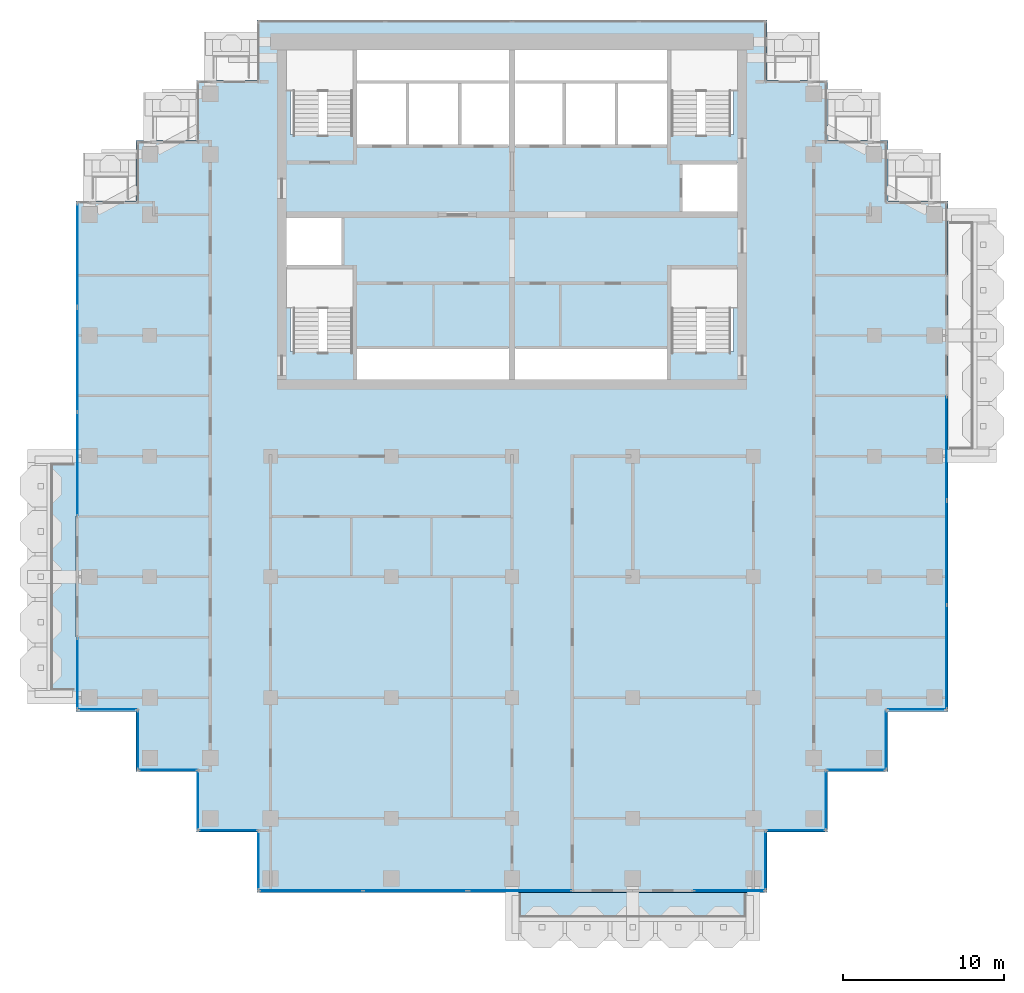
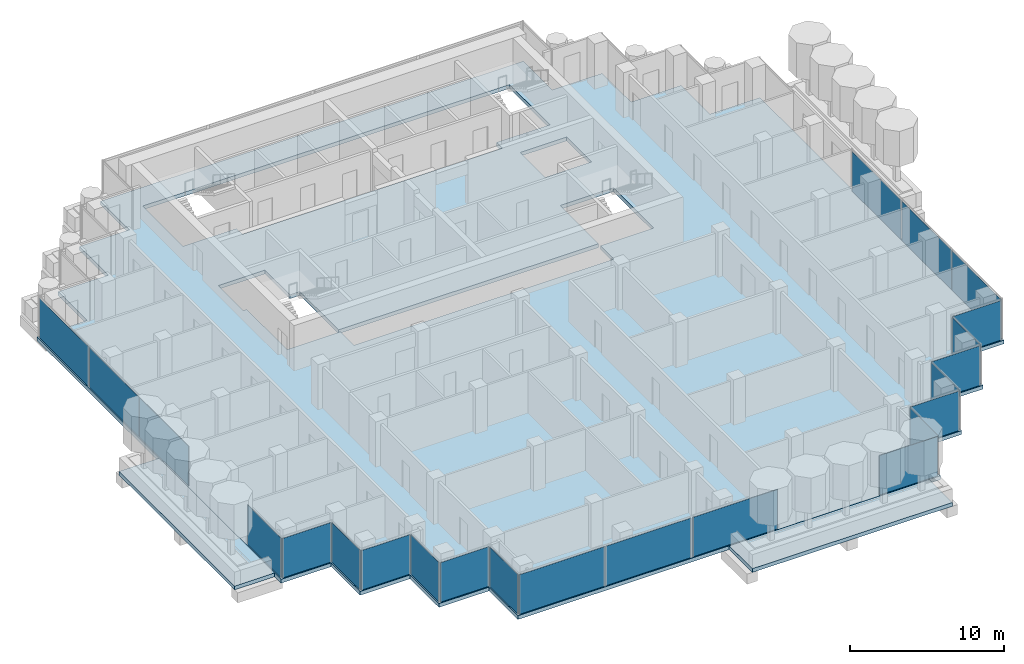
# One storey, part 8 of 19: 23 plates, 3 slabs, 20 elements without a shape of their own.
"""IFC4 building model written with IfcOpenShell, lengths in metres."""

from ifc_helpers import new_model, si_unit, direction, frame, origin, origin_2d, place, context, subcontext, project, spatial, polyline, rectangle, outline, extrude, material, layer, layer_set, type_object, element, aggregate, save


model = new_model("IFC4")

# Units and contexts
model_context = context("Model", 3, precision=1e-05, world=origin(), true_north=direction((0.0, 1.0)))
body_context = subcontext(model_context, "Body", "Model", "MODEL_VIEW")
ifc_project = project(units=[si_unit("LENGTHUNIT", "METRE"), si_unit("AREAUNIT", "SQUARE_METRE"), si_unit("VOLUMEUNIT", "CUBIC_METRE"), si_unit("PLANEANGLEUNIT", "RADIAN"), si_unit("MASSUNIT", "GRAM", prefix="KILO")], contexts=[model_context])

# Site, building, storey
site_placement = place(None, origin())
site = spatial("IfcSite", under=ifc_project, at=site_placement, CompositionType="ELEMENT")
building_placement = place(site_placement, origin())
building = spatial("IfcBuilding", under=site, at=building_placement, Name="Pilkhan Gate Tower", CompositionType="ELEMENT")
storey_placement = place(building_placement, frame((0.0, 0.0, 224.699951171875)))
storey = spatial("IfcBuildingStorey", under=building, at=storey_placement, Name="L58", CompositionType="ELEMENT", Elevation=224.699951171875)

# Slabs
ifc_material_1 = material(Name="Concrete C60/75", Category="concrete")
ifc_layer_1 = layer(ifc_material_1, 0.300048828125)
ifc_layer_set_1 = layer_set([ifc_layer_1], Name="Balcony tray slab TR300")
slab_type_1 = type_object("IfcSlabType", Name="Balcony tray slab TR300", PredefinedType="FLOOR", material=ifc_layer_set_1)
slab_1_placement = place(storey_placement, frame((0.0, 0.0, -0.300048828125)))
element("IfcSlab", 1, at=slab_1_placement, inside=storey, type_object=slab_type_1, Name="Balcony tray L58 S", PredefinedType="FLOOR", context=body_context, shape_type="SweptSolid", body=[
    extrude(outline(polyline([(90.0, 37.39990234375), (90.0, 40.39990234375), (75.0, 40.39990234375), (75.0, 37.39990234375), (90.0, 37.39990234375)])), origin(), (0.0, 0.0, 1.0), 0.300048828125),
])
slab_2_placement = place(storey_placement, frame((0.0, 0.0, -0.300048828125)))
element("IfcSlab", 2, at=slab_2_placement, inside=storey, type_object=slab_type_1, Name="Balcony tray L58 W", PredefinedType="FLOOR", context=body_context, shape_type="SweptSolid", body=[
    extrude(outline(polyline([(47.89990234375, 52.5), (47.89990234375, 67.5), (44.89990234375, 67.5), (44.89990234375, 52.5), (47.89990234375, 52.5)])), origin(), (0.0, 0.0, 1.0), 0.300048828125),
])
ifc_material_2 = material(Name="Concrete C40/50", Category="concrete")
ifc_layer_2 = layer(ifc_material_2, 0.300048828125)
ifc_layer_set_2 = layer_set([ifc_layer_2], Name="Flat plate slab FP300")
slab_type_2 = type_object("IfcSlabType", Name="Flat plate slab FP300", PredefinedType="FLOOR", material=ifc_layer_set_2)
slab_3_placement = place(storey_placement, frame((0.0, 0.0, -0.300048828125)))
element("IfcSlab", 3, at=slab_3_placement, inside=storey, type_object=slab_type_2, Name="Floor slab L58", PredefinedType="FLOOR", context=body_context, shape_type="SweptSolid", body=[
    extrude(outline(polyline([(98.35009765625, 47.89990234375), (94.60009765625, 47.89990234375), (94.60009765625, 44.14990234375), (90.85009765625, 44.14990234375), (90.85009765625, 40.39990234375), (59.14990234375, 40.39990234375), (59.14990234375, 44.14990234375), (55.39990234375, 44.14990234375), (55.39990234375, 47.89990234375), (51.64990234375, 47.89990234375), (51.64990234375, 51.64990234375), (47.89990234375, 51.64990234375), (47.89990234375, 83.35009765625), (51.64990234375, 83.35009765625), (51.64990234375, 87.10009765625), (55.39990234375, 87.10009765625), (55.39990234375, 90.85009765625), (59.14990234375, 90.85009765625), (59.14990234375, 94.60009765625), (90.85009765625, 94.60009765625), (90.85009765625, 90.85009765625), (94.60009765625, 90.85009765625), (94.60009765625, 87.10009765625), (98.35009765625, 87.10009765625), (98.35009765625, 83.35009765625), (102.10009765625, 83.35009765625), (102.10009765625, 51.64990234375), (98.35009765625, 51.64990234375), (98.35009765625, 47.89990234375)]), holes=[polyline([(75.0, 72.25), (84.75, 72.25), (84.75, 74.0), (88.75, 74.0), (88.75, 79.25), (84.75, 79.25), (84.75, 74.25), (75.0, 74.25), (65.25, 74.25), (65.25, 79.25), (64.5, 79.25), (64.5, 82.5), (61.25, 82.5), (61.0, 82.5), (61.0, 79.25), (61.25, 79.25), (61.25, 74.0), (65.25, 74.0), (65.25, 72.25), (75.0, 72.25)]), polyline([(68.5, 86.75), (71.75, 86.75), (75.0, 86.75), (78.25, 86.75), (81.5, 86.75), (84.75, 86.75), (84.75, 87.5), (88.75, 87.5), (88.75, 92.75), (84.75, 92.75), (75.0, 92.75), (65.25, 92.75), (61.25, 92.75), (61.25, 87.5), (65.25, 87.5), (65.25, 86.75), (68.5, 86.75)]), polyline([(85.5, 85.75), (85.5, 82.5), (88.75, 82.5), (89.0, 82.5), (89.0, 85.75), (88.75, 85.75), (85.5, 85.75)])]), origin(), (0.0, 0.0, 1.0), 0.300048828125),
])

# Curtain wall, plates
ifc_material_3 = material(Name="Pale anodised aluminium, clear low-iron double glazing", Category="aluminium")
curtain_wall_type = type_object("IfcCurtainWallType", Name="Office unitised curtain wall CW-O2", PredefinedType="USERDEFINED", material=ifc_material_3)
curtain_wall_1_placement = place(storey_placement, origin())
curtain_wall_1 = element("IfcCurtainWall", 4, at=curtain_wall_1_placement, inside=storey, type_object=curtain_wall_type, Name="Office unitised curtain wall CW-O2 L58 E", ObjectType="UNITISED CURTAIN WALL", PredefinedType="USERDEFINED")
ifc_material_4 = material(Name="Clear low-iron double glazing", Category="glass")
ifc_layer_3 = layer(ifc_material_4, 0.031982421875)
ifc_layer_set_3 = layer_set([ifc_layer_3], Name="Glass panel CW-O2 32")
plate_type = type_object("IfcPlateType", Name="Glass panel CW-O2 32", PredefinedType="CURTAIN_PANEL", material=ifc_layer_set_3)
plate_1_placement = place(storey_placement, frame((102.0, 55.016357421875, 0.0), z_axis=(0.0, 0.0, 1.0), x_axis=(0.0, 1.0, 0.0)))
plate_1 = element("IfcPlate", 5, at=plate_1_placement, type_object=plate_type, Name="CW-O2 panel 1", PredefinedType="CURTAIN_PANEL", context=body_context, shape_type="SweptSolid", body=[
    extrude(rectangle(XDim=6.402587890625, YDim=0.031982421875, at=origin_2d()), origin(), (0.0, 0.0, 1.0), 3.135009765625),
])
plate_2_placement = place(storey_placement, frame((102.0, 61.483642578125, 0.0), z_axis=(0.0, 0.0, 1.0), x_axis=(0.0, 1.0, 0.0)))
plate_2 = element("IfcPlate", 6, at=plate_2_placement, type_object=plate_type, Name="CW-O2 panel 2", PredefinedType="CURTAIN_PANEL", context=body_context, shape_type="SweptSolid", body=[
    extrude(rectangle(XDim=6.402587890625, YDim=0.031982421875, at=origin_2d()), origin(), (0.0, 0.0, 1.0), 3.135009765625),
])
aggregate(curtain_wall_1, [plate_1, plate_2])

# Curtain wall, plate
curtain_wall_2_placement = place(storey_placement, origin())
curtain_wall_2 = element("IfcCurtainWall", 7, at=curtain_wall_2_placement, inside=storey, type_object=curtain_wall_type, Name="Office unitised curtain wall CW-O2 L58 E", ObjectType="UNITISED CURTAIN WALL", PredefinedType="USERDEFINED")
plate_3_placement = place(storey_placement, frame((102.0, 68.0, 0.0), z_axis=(0.0, 0.0, 1.0), x_axis=(0.0, 1.0, 0.0)))
plate_3 = element("IfcPlate", 8, at=plate_3_placement, type_object=plate_type, Name="CW-O2 panel 1", PredefinedType="CURTAIN_PANEL", context=body_context, shape_type="SweptSolid", body=[
    extrude(rectangle(XDim=6.3701171875, YDim=0.031982421875, at=origin_2d()), origin(), (0.0, 0.0, 1.0), 3.135009765625),
])
aggregate(curtain_wall_2, [plate_3])

curtain_wall_3_placement = place(storey_placement, origin())
curtain_wall_3 = element("IfcCurtainWall", 9, at=curtain_wall_3_placement, inside=storey, type_object=curtain_wall_type, Name="Office unitised curtain wall CW-O2 L58 W", ObjectType="UNITISED CURTAIN WALL", PredefinedType="USERDEFINED")
plate_4_placement = place(storey_placement, frame((48.0, 54.0, 0.0), z_axis=(0.0, 0.0, 1.0), x_axis=(0.0, 1.0, 0.0)))
plate_4 = element("IfcPlate", 10, at=plate_4_placement, type_object=plate_type, Name="CW-O2 panel 1", PredefinedType="CURTAIN_PANEL", context=body_context, shape_type="SweptSolid", body=[
    extrude(rectangle(XDim=4.3701171875, YDim=0.031982421875, at=origin_2d()), origin(), (0.0, 0.0, 1.0), 3.135009765625),
])
aggregate(curtain_wall_3, [plate_4])

# Curtain wall, plates
curtain_wall_4_placement = place(storey_placement, origin())
curtain_wall_4 = element("IfcCurtainWall", 11, at=curtain_wall_4_placement, inside=storey, type_object=curtain_wall_type, Name="Office unitised curtain wall CW-O2 L58 W", ObjectType="UNITISED CURTAIN WALL", PredefinedType="USERDEFINED")
plate_5_placement = place(storey_placement, frame((48.0, 67.016357421875, 0.0), z_axis=(0.0, 0.0, 1.0), x_axis=(0.0, 1.0, 0.0)))
plate_5 = element("IfcPlate", 12, at=plate_5_placement, type_object=plate_type, Name="CW-O2 panel 1", PredefinedType="CURTAIN_PANEL", context=body_context, shape_type="SweptSolid", body=[
    extrude(rectangle(XDim=6.402587890625, YDim=0.031982421875, at=origin_2d()), origin(), (0.0, 0.0, 1.0), 3.135009765625),
])
plate_6_placement = place(storey_placement, frame((48.0, 73.483642578125, 0.0), z_axis=(0.0, 0.0, 1.0), x_axis=(0.0, 1.0, 0.0)))
plate_6 = element("IfcPlate", 13, at=plate_6_placement, type_object=plate_type, Name="CW-O2 panel 2", PredefinedType="CURTAIN_PANEL", context=body_context, shape_type="SweptSolid", body=[
    extrude(rectangle(XDim=6.402587890625, YDim=0.031982421875, at=origin_2d()), origin(), (0.0, 0.0, 1.0), 3.135009765625),
])
aggregate(curtain_wall_4, [plate_5, plate_6])

# Curtain wall, plate
curtain_wall_5_placement = place(storey_placement, origin())
curtain_wall_5 = element("IfcCurtainWall", 14, at=curtain_wall_5_placement, inside=storey, type_object=curtain_wall_type, Name="Office unitised curtain wall CW-O2 L58 W", ObjectType="UNITISED CURTAIN WALL", PredefinedType="USERDEFINED")
plate_7_placement = place(storey_placement, frame((48.0, 80.0, 0.0), z_axis=(0.0, 0.0, 1.0), x_axis=(0.0, 1.0, 0.0)))
plate_7 = element("IfcPlate", 15, at=plate_7_placement, type_object=plate_type, Name="CW-O2 panel 1", PredefinedType="CURTAIN_PANEL", context=body_context, shape_type="SweptSolid", body=[
    extrude(rectangle(XDim=6.3701171875, YDim=0.031982421875, at=origin_2d()), origin(), (0.0, 0.0, 1.0), 3.135009765625),
])
aggregate(curtain_wall_5, [plate_7])

curtain_wall_6_placement = place(storey_placement, origin())
curtain_wall_6 = element("IfcCurtainWall", 16, at=curtain_wall_6_placement, inside=storey, type_object=curtain_wall_type, Name="Office unitised curtain wall CW-O2 L58 S", ObjectType="UNITISED CURTAIN WALL", PredefinedType="USERDEFINED")
plate_8_placement = place(storey_placement, frame((49.875, 51.75, 0.0), z_axis=(0.0, 0.0, 1.0), x_axis=(1.0, 0.0, 0.0)))
plate_8 = element("IfcPlate", 17, at=plate_8_placement, type_object=plate_type, Name="CW-O2 panel 1", PredefinedType="CURTAIN_PANEL", context=body_context, shape_type="SweptSolid", body=[
    extrude(rectangle(XDim=3.6201171875, YDim=0.031982421875, at=origin_2d()), origin(), (0.0, 0.0, 1.0), 3.135009765625),
])
aggregate(curtain_wall_6, [plate_8])

curtain_wall_7_placement = place(storey_placement, origin())
curtain_wall_7 = element("IfcCurtainWall", 18, at=curtain_wall_7_placement, inside=storey, type_object=curtain_wall_type, Name="Office unitised curtain wall CW-O2 L58 W", ObjectType="UNITISED CURTAIN WALL", PredefinedType="USERDEFINED")
plate_9_placement = place(storey_placement, frame((51.75, 49.875, 0.0), z_axis=(0.0, 0.0, 1.0), x_axis=(0.0, 1.0, 0.0)))
plate_9 = element("IfcPlate", 19, at=plate_9_placement, type_object=plate_type, Name="CW-O2 panel 1", PredefinedType="CURTAIN_PANEL", context=body_context, shape_type="SweptSolid", body=[
    extrude(rectangle(XDim=3.6201171875, YDim=0.031982421875, at=origin_2d()), origin(), (0.0, 0.0, 1.0), 3.135009765625),
])
aggregate(curtain_wall_7, [plate_9])

curtain_wall_8_placement = place(storey_placement, origin())
curtain_wall_8 = element("IfcCurtainWall", 20, at=curtain_wall_8_placement, inside=storey, type_object=curtain_wall_type, Name="Office unitised curtain wall CW-O2 L58 S", ObjectType="UNITISED CURTAIN WALL", PredefinedType="USERDEFINED")
plate_10_placement = place(storey_placement, frame((53.625, 48.0, 0.0), z_axis=(0.0, 0.0, 1.0), x_axis=(1.0, 0.0, 0.0)))
plate_10 = element("IfcPlate", 21, at=plate_10_placement, type_object=plate_type, Name="CW-O2 panel 1", PredefinedType="CURTAIN_PANEL", context=body_context, shape_type="SweptSolid", body=[
    extrude(rectangle(XDim=3.6201171875, YDim=0.031982421875, at=origin_2d()), origin(), (0.0, 0.0, 1.0), 3.135009765625),
])
aggregate(curtain_wall_8, [plate_10])

curtain_wall_9_placement = place(storey_placement, origin())
curtain_wall_9 = element("IfcCurtainWall", 22, at=curtain_wall_9_placement, inside=storey, type_object=curtain_wall_type, Name="Office unitised curtain wall CW-O2 L58 W", ObjectType="UNITISED CURTAIN WALL", PredefinedType="USERDEFINED")
plate_11_placement = place(storey_placement, frame((55.5, 46.125, 0.0), z_axis=(0.0, 0.0, 1.0), x_axis=(0.0, 1.0, 0.0)))
plate_11 = element("IfcPlate", 23, at=plate_11_placement, type_object=plate_type, Name="CW-O2 panel 1", PredefinedType="CURTAIN_PANEL", context=body_context, shape_type="SweptSolid", body=[
    extrude(rectangle(XDim=3.6201171875, YDim=0.031982421875, at=origin_2d()), origin(), (0.0, 0.0, 1.0), 3.135009765625),
])
aggregate(curtain_wall_9, [plate_11])

curtain_wall_10_placement = place(storey_placement, origin())
curtain_wall_10 = element("IfcCurtainWall", 24, at=curtain_wall_10_placement, inside=storey, type_object=curtain_wall_type, Name="Office unitised curtain wall CW-O2 L58 S", ObjectType="UNITISED CURTAIN WALL", PredefinedType="USERDEFINED")
plate_12_placement = place(storey_placement, frame((57.375, 44.25, 0.0), z_axis=(0.0, 0.0, 1.0), x_axis=(1.0, 0.0, 0.0)))
plate_12 = element("IfcPlate", 25, at=plate_12_placement, type_object=plate_type, Name="CW-O2 panel 1", PredefinedType="CURTAIN_PANEL", context=body_context, shape_type="SweptSolid", body=[
    extrude(rectangle(XDim=3.6201171875, YDim=0.031982421875, at=origin_2d()), origin(), (0.0, 0.0, 1.0), 3.135009765625),
])
aggregate(curtain_wall_10, [plate_12])

curtain_wall_11_placement = place(storey_placement, origin())
curtain_wall_11 = element("IfcCurtainWall", 26, at=curtain_wall_11_placement, inside=storey, type_object=curtain_wall_type, Name="Office unitised curtain wall CW-O2 L58 W", ObjectType="UNITISED CURTAIN WALL", PredefinedType="USERDEFINED")
plate_13_placement = place(storey_placement, frame((59.25, 42.375, 0.0), z_axis=(0.0, 0.0, 1.0), x_axis=(0.0, 1.0, 0.0)))
plate_13 = element("IfcPlate", 27, at=plate_13_placement, type_object=plate_type, Name="CW-O2 panel 1", PredefinedType="CURTAIN_PANEL", context=body_context, shape_type="SweptSolid", body=[
    extrude(rectangle(XDim=3.6201171875, YDim=0.031982421875, at=origin_2d()), origin(), (0.0, 0.0, 1.0), 3.135009765625),
])
aggregate(curtain_wall_11, [plate_13])

# Curtain wall, plates
curtain_wall_12_placement = place(storey_placement, origin())
curtain_wall_12 = element("IfcCurtainWall", 28, at=curtain_wall_12_placement, inside=storey, type_object=curtain_wall_type, Name="Office unitised curtain wall CW-O2 L58 S", ObjectType="UNITISED CURTAIN WALL", PredefinedType="USERDEFINED")
plate_14_placement = place(storey_placement, frame((62.516357421875, 40.5, 0.0), z_axis=(0.0, 0.0, 1.0), x_axis=(1.0, 0.0, 0.0)))
plate_14 = element("IfcPlate", 29, at=plate_14_placement, type_object=plate_type, Name="CW-O2 panel 1", PredefinedType="CURTAIN_PANEL", context=body_context, shape_type="SweptSolid", body=[
    extrude(rectangle(XDim=6.402587890625, YDim=0.031982421875, at=origin_2d()), origin(), (0.0, 0.0, 1.0), 3.135009765625),
])
plate_15_placement = place(storey_placement, frame((68.983642578125, 40.5, 0.0), z_axis=(0.0, 0.0, 1.0), x_axis=(1.0, 0.0, 0.0)))
plate_15 = element("IfcPlate", 30, at=plate_15_placement, type_object=plate_type, Name="CW-O2 panel 2", PredefinedType="CURTAIN_PANEL", context=body_context, shape_type="SweptSolid", body=[
    extrude(rectangle(XDim=6.402587890625, YDim=0.031982421875, at=origin_2d()), origin(), (0.0, 0.0, 1.0), 3.135009765625),
])
aggregate(curtain_wall_12, [plate_14, plate_15])

# Curtain wall, plate
curtain_wall_13_placement = place(storey_placement, origin())
curtain_wall_13 = element("IfcCurtainWall", 31, at=curtain_wall_13_placement, inside=storey, type_object=curtain_wall_type, Name="Office unitised curtain wall CW-O2 L58 S", ObjectType="UNITISED CURTAIN WALL", PredefinedType="USERDEFINED")
plate_16_placement = place(storey_placement, frame((75.5, 40.5, 0.0), z_axis=(0.0, 0.0, 1.0), x_axis=(1.0, 0.0, 0.0)))
plate_16 = element("IfcPlate", 32, at=plate_16_placement, type_object=plate_type, Name="CW-O2 panel 1", PredefinedType="CURTAIN_PANEL", context=body_context, shape_type="SweptSolid", body=[
    extrude(rectangle(XDim=6.3701171875, YDim=0.031982421875, at=origin_2d()), origin(), (0.0, 0.0, 1.0), 3.135009765625),
])
aggregate(curtain_wall_13, [plate_16])

curtain_wall_14_placement = place(storey_placement, origin())
curtain_wall_14 = element("IfcCurtainWall", 33, at=curtain_wall_14_placement, inside=storey, type_object=curtain_wall_type, Name="Office unitised curtain wall CW-O2 L58 S", ObjectType="UNITISED CURTAIN WALL", PredefinedType="USERDEFINED")
plate_17_placement = place(storey_placement, frame((88.5, 40.5, 0.0), z_axis=(0.0, 0.0, 1.0), x_axis=(1.0, 0.0, 0.0)))
plate_17 = element("IfcPlate", 34, at=plate_17_placement, type_object=plate_type, Name="CW-O2 panel 1", PredefinedType="CURTAIN_PANEL", context=body_context, shape_type="SweptSolid", body=[
    extrude(rectangle(XDim=4.3701171875, YDim=0.031982421875, at=origin_2d()), origin(), (0.0, 0.0, 1.0), 3.135009765625),
])
aggregate(curtain_wall_14, [plate_17])

curtain_wall_15_placement = place(storey_placement, origin())
curtain_wall_15 = element("IfcCurtainWall", 35, at=curtain_wall_15_placement, inside=storey, type_object=curtain_wall_type, Name="Office unitised curtain wall CW-O2 L58 E", ObjectType="UNITISED CURTAIN WALL", PredefinedType="USERDEFINED")
plate_18_placement = place(storey_placement, frame((90.75, 42.375, 0.0), z_axis=(0.0, 0.0, 1.0), x_axis=(0.0, 1.0, 0.0)))
plate_18 = element("IfcPlate", 36, at=plate_18_placement, type_object=plate_type, Name="CW-O2 panel 1", PredefinedType="CURTAIN_PANEL", context=body_context, shape_type="SweptSolid", body=[
    extrude(rectangle(XDim=3.6201171875, YDim=0.031982421875, at=origin_2d()), origin(), (0.0, 0.0, 1.0), 3.135009765625),
])
aggregate(curtain_wall_15, [plate_18])

curtain_wall_16_placement = place(storey_placement, origin())
curtain_wall_16 = element("IfcCurtainWall", 37, at=curtain_wall_16_placement, inside=storey, type_object=curtain_wall_type, Name="Office unitised curtain wall CW-O2 L58 S", ObjectType="UNITISED CURTAIN WALL", PredefinedType="USERDEFINED")
plate_19_placement = place(storey_placement, frame((92.625, 44.25, 0.0), z_axis=(0.0, 0.0, 1.0), x_axis=(1.0, 0.0, 0.0)))
plate_19 = element("IfcPlate", 38, at=plate_19_placement, type_object=plate_type, Name="CW-O2 panel 1", PredefinedType="CURTAIN_PANEL", context=body_context, shape_type="SweptSolid", body=[
    extrude(rectangle(XDim=3.6201171875, YDim=0.031982421875, at=origin_2d()), origin(), (0.0, 0.0, 1.0), 3.135009765625),
])
aggregate(curtain_wall_16, [plate_19])

curtain_wall_17_placement = place(storey_placement, origin())
curtain_wall_17 = element("IfcCurtainWall", 39, at=curtain_wall_17_placement, inside=storey, type_object=curtain_wall_type, Name="Office unitised curtain wall CW-O2 L58 E", ObjectType="UNITISED CURTAIN WALL", PredefinedType="USERDEFINED")
plate_20_placement = place(storey_placement, frame((94.5, 46.125, 0.0), z_axis=(0.0, 0.0, 1.0), x_axis=(0.0, 1.0, 0.0)))
plate_20 = element("IfcPlate", 40, at=plate_20_placement, type_object=plate_type, Name="CW-O2 panel 1", PredefinedType="CURTAIN_PANEL", context=body_context, shape_type="SweptSolid", body=[
    extrude(rectangle(XDim=3.6201171875, YDim=0.031982421875, at=origin_2d()), origin(), (0.0, 0.0, 1.0), 3.135009765625),
])
aggregate(curtain_wall_17, [plate_20])

curtain_wall_18_placement = place(storey_placement, origin())
curtain_wall_18 = element("IfcCurtainWall", 41, at=curtain_wall_18_placement, inside=storey, type_object=curtain_wall_type, Name="Office unitised curtain wall CW-O2 L58 S", ObjectType="UNITISED CURTAIN WALL", PredefinedType="USERDEFINED")
plate_21_placement = place(storey_placement, frame((96.375, 48.0, 0.0), z_axis=(0.0, 0.0, 1.0), x_axis=(1.0, 0.0, 0.0)))
plate_21 = element("IfcPlate", 42, at=plate_21_placement, type_object=plate_type, Name="CW-O2 panel 1", PredefinedType="CURTAIN_PANEL", context=body_context, shape_type="SweptSolid", body=[
    extrude(rectangle(XDim=3.6201171875, YDim=0.031982421875, at=origin_2d()), origin(), (0.0, 0.0, 1.0), 3.135009765625),
])
aggregate(curtain_wall_18, [plate_21])

curtain_wall_19_placement = place(storey_placement, origin())
curtain_wall_19 = element("IfcCurtainWall", 43, at=curtain_wall_19_placement, inside=storey, type_object=curtain_wall_type, Name="Office unitised curtain wall CW-O2 L58 E", ObjectType="UNITISED CURTAIN WALL", PredefinedType="USERDEFINED")
plate_22_placement = place(storey_placement, frame((98.25, 49.875, 0.0), z_axis=(0.0, 0.0, 1.0), x_axis=(0.0, 1.0, 0.0)))
plate_22 = element("IfcPlate", 44, at=plate_22_placement, type_object=plate_type, Name="CW-O2 panel 1", PredefinedType="CURTAIN_PANEL", context=body_context, shape_type="SweptSolid", body=[
    extrude(rectangle(XDim=3.6201171875, YDim=0.031982421875, at=origin_2d()), origin(), (0.0, 0.0, 1.0), 3.135009765625),
])
aggregate(curtain_wall_19, [plate_22])

curtain_wall_20_placement = place(storey_placement, origin())
curtain_wall_20 = element("IfcCurtainWall", 45, at=curtain_wall_20_placement, inside=storey, type_object=curtain_wall_type, Name="Office unitised curtain wall CW-O2 L58 S", ObjectType="UNITISED CURTAIN WALL", PredefinedType="USERDEFINED")
plate_23_placement = place(storey_placement, frame((100.125, 51.75, 0.0), z_axis=(0.0, 0.0, 1.0), x_axis=(1.0, 0.0, 0.0)))
plate_23 = element("IfcPlate", 46, at=plate_23_placement, type_object=plate_type, Name="CW-O2 panel 1", PredefinedType="CURTAIN_PANEL", context=body_context, shape_type="SweptSolid", body=[
    extrude(rectangle(XDim=3.6201171875, YDim=0.031982421875, at=origin_2d()), origin(), (0.0, 0.0, 1.0), 3.135009765625),
])
aggregate(curtain_wall_20, [plate_23])

save(model, "model.ifc")
